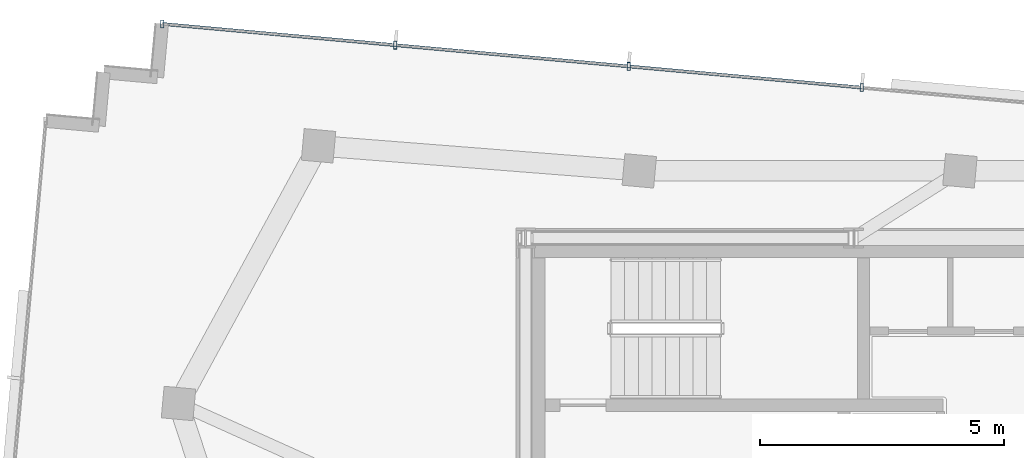
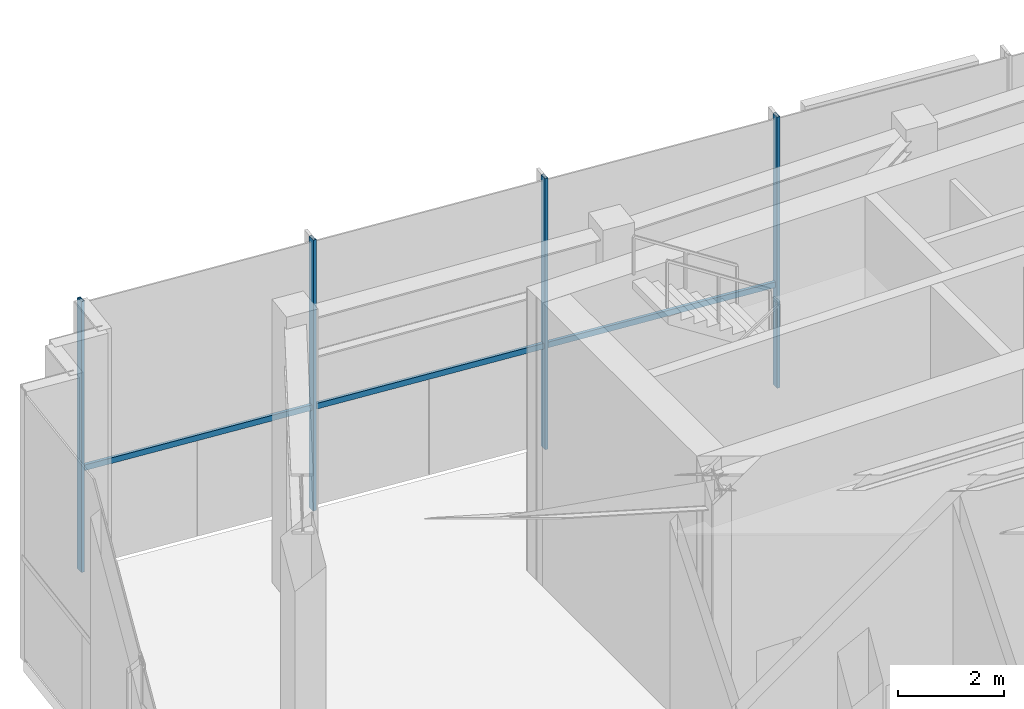
# One storey, part 10 of 19: 7 members, 1 element without a shape of its own.
"""IFC4 building model written with IfcOpenShell, lengths in metres."""

from ifc_helpers import new_model, si_unit, direction, frame, origin, origin_2d, place, context, subcontext, project, spatial, hollow_rectangle, extrude, source, transform, mapped, material, material_profile, profile_set, type_object, type_shapes, element, aggregate, save


model = new_model("IFC4")

# Units and contexts
model_context = context("Model", 3, precision=1e-05, world=origin(), true_north=direction((0.0, 1.0)))
body_context = subcontext(model_context, "Body", "Model", "MODEL_VIEW")
ifc_project = project(units=[si_unit("LENGTHUNIT", "METRE"), si_unit("AREAUNIT", "SQUARE_METRE"), si_unit("VOLUMEUNIT", "CUBIC_METRE"), si_unit("PLANEANGLEUNIT", "RADIAN"), si_unit("MASSUNIT", "GRAM", prefix="KILO")], contexts=[model_context])

# Site, building, storey
site_placement = place(None, origin())
site = spatial("IfcSite", under=ifc_project, at=site_placement, CompositionType="ELEMENT")
building_placement = place(site_placement, origin())
building = spatial("IfcBuilding", under=site, at=building_placement, Name="Astriad Promenade Condominiums", CompositionType="ELEMENT")
storey_placement = place(building_placement, frame((0.0, 0.0, 283.800048828125)))
storey = spatial("IfcBuildingStorey", under=building, at=storey_placement, Name="L79", CompositionType="ELEMENT", Elevation=283.800048828125)

# Curtain wall, members
ifc_material_1 = material(Name="Anodised aluminium Black Dark Glass Unitised", Category="aluminium")
curtain_wall_type = type_object("IfcCurtainWallType", Name="CW-TMD-LANTERN", PredefinedType="USERDEFINED", material=ifc_material_1)
curtain_wall_placement = place(storey_placement, origin())
curtain_wall = element("IfcCurtainWall", 1, at=curtain_wall_placement, inside=storey, type_object=curtain_wall_type, Name="CW-CRN-L79-08", ObjectType="UNITISED_CURTAIN_WALL", PredefinedType="USERDEFINED")
ifc_material_2 = material(Name="Anodised aluminium 6063-T6 Black", Category="aluminium")
ifc_material_profile_1 = material_profile(ifc_material_2, hollow_rectangle(XDim=0.06494140625, YDim=0.159912109375, WallThickness=0.00390625, at=origin_2d()), Name="ALU-MUL-65X160")
ifc_profile_set_1 = profile_set([ifc_material_profile_1], Name="Anodised aluminium 6063-T6 Black")
member_type_1 = type_object("IfcMemberType", Name="MUL-ALU-MUL-65X160", PredefinedType="MULLION", material=ifc_profile_set_1)
shared_shape_1 = source(origin(), body_context, "Body", "SweptSolid", [
    extrude(hollow_rectangle(XDim=0.06494140625, YDim=0.159912109375, WallThickness=0.00390625, at=origin_2d()), origin(), (0.0, 0.0, 1.0), 6.219970703125),
])
type_shapes(member_type_1, [shared_shape_1])
member_1_placement = place(storey_placement, frame((18.948974609375, 28.391845703125, 0.0), z_axis=(0.0, 0.0, 1.0), x_axis=(1.0, 0.0, 0.0)))
member_1 = element("IfcMember", 2, at=member_1_placement, type_object=member_type_1, Name="CW-CRN-L79-08-MUL-00", PredefinedType="MULLION", context=body_context, shape_type="MappedRepresentation", body=[
    mapped(shared_shape_1, transform((0.0, 0.0, 0.0), scale=1.0)),
])
member_2_placement = place(storey_placement, frame((23.72900390625, 27.956787109375, 0.0), z_axis=(0.0, 0.0, 1.0), x_axis=(1.0, 0.0, 0.0)))
member_2 = element("IfcMember", 3, at=member_2_placement, type_object=member_type_1, Name="CW-CRN-L79-08-MUL-01", PredefinedType="MULLION", context=body_context, shape_type="MappedRepresentation", body=[
    mapped(shared_shape_1, transform((0.0, 0.0, 0.0), scale=1.0)),
])
member_3_placement = place(storey_placement, frame((28.509521484375, 27.521728515625, 0.0), z_axis=(0.0, 0.0, 1.0), x_axis=(1.0, 0.0, 0.0)))
member_3 = element("IfcMember", 4, at=member_3_placement, type_object=member_type_1, Name="CW-CRN-L79-08-MUL-02", PredefinedType="MULLION", context=body_context, shape_type="MappedRepresentation", body=[
    mapped(shared_shape_1, transform((0.0, 0.0, 0.0), scale=1.0)),
])
member_4_placement = place(storey_placement, frame((33.28955078125, 27.086669921875, 0.0), z_axis=(0.0, 0.0, 1.0), x_axis=(1.0, 0.0, 0.0)))
member_4 = element("IfcMember", 5, at=member_4_placement, type_object=member_type_1, Name="CW-CRN-L79-08-MUL-03", PredefinedType="MULLION", context=body_context, shape_type="MappedRepresentation", body=[
    mapped(shared_shape_1, transform((0.0, 0.0, 0.0), scale=1.0)),
])
ifc_material_profile_2 = material_profile(ifc_material_2, hollow_rectangle(XDim=0.06494140625, YDim=0.1298828125, WallThickness=0.00390625, at=origin_2d()), Name="ALU-TRN-65X130")
ifc_profile_set_2 = profile_set([ifc_material_profile_2], Name="Anodised aluminium 6063-T6 Black")
member_type_2 = type_object("IfcMemberType", Name="TRN-ALU-TRN-65X130", PredefinedType="USERDEFINED", material=ifc_profile_set_2)
shared_shape_2 = source(origin(), body_context, "Body", "SweptSolid", [
    extrude(hollow_rectangle(XDim=0.06494140625, YDim=0.1298828125, WallThickness=0.00390625, at=origin_2d()), origin(), (0.0, 0.0, 1.0), 4.7998046875),
])
member_5_placement = place(storey_placement, frame((18.948974609375, 28.391845703125, 2.349853515625), z_axis=(0.9958836116, -0.090641227635, 0.0), x_axis=(0.090641227635, 0.9958836116, 0.0)))
member_5 = element("IfcMember", 6, at=member_5_placement, type_object=member_type_2, Name="CW-CRN-L79-08-TRN-00-0", ObjectType="TRANSOM", PredefinedType="USERDEFINED", context=body_context, shape_type="MappedRepresentation", body=[
    mapped(shared_shape_2, transform((0.0, 0.0, 0.0), scale=1.0)),
])
member_6_placement = place(storey_placement, frame((28.509521484375, 27.521728515625, 2.349853515625), z_axis=(0.9958836116, -0.090641227635, 0.0), x_axis=(0.090641227635, 0.9958836116, 0.0)))
member_6 = element("IfcMember", 7, at=member_6_placement, type_object=member_type_2, Name="CW-CRN-L79-08-TRN-02-0", ObjectType="TRANSOM", PredefinedType="USERDEFINED", context=body_context, shape_type="MappedRepresentation", body=[
    mapped(shared_shape_2, transform((0.0, 0.0, 0.0), scale=1.0)),
])
shared_shape_3 = source(origin(), body_context, "Body", "SweptSolid", [
    extrude(hollow_rectangle(XDim=0.06494140625, YDim=0.1298828125, WallThickness=0.00390625, at=origin_2d()), origin(), (0.0, 0.0, 1.0), 4.80029296875),
])
type_shapes(member_type_2, [shared_shape_2, shared_shape_3])
member_7_placement = place(storey_placement, frame((23.72900390625, 27.956787109375, 2.349853515625), z_axis=(0.995884447267, -0.090632045607, 0.0), x_axis=(0.090632045607, 0.995884447267, 0.0)))
member_7 = element("IfcMember", 8, at=member_7_placement, type_object=member_type_2, Name="CW-CRN-L79-08-TRN-01-0", ObjectType="TRANSOM", PredefinedType="USERDEFINED", context=body_context, shape_type="MappedRepresentation", body=[
    mapped(shared_shape_3, transform((0.0, 0.0, 0.0), scale=1.0)),
])
aggregate(curtain_wall, [member_1, member_2, member_3, member_4, member_5, member_7, member_6])

save(model, "model.ifc")
